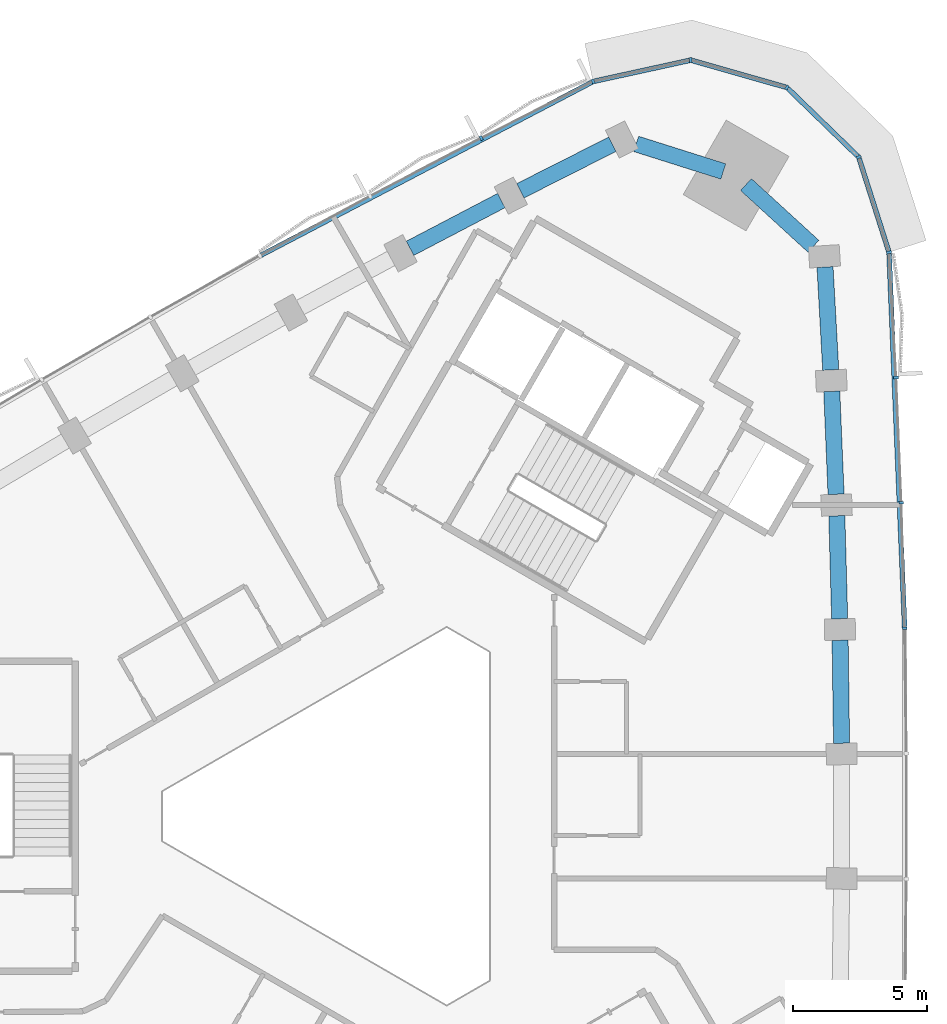
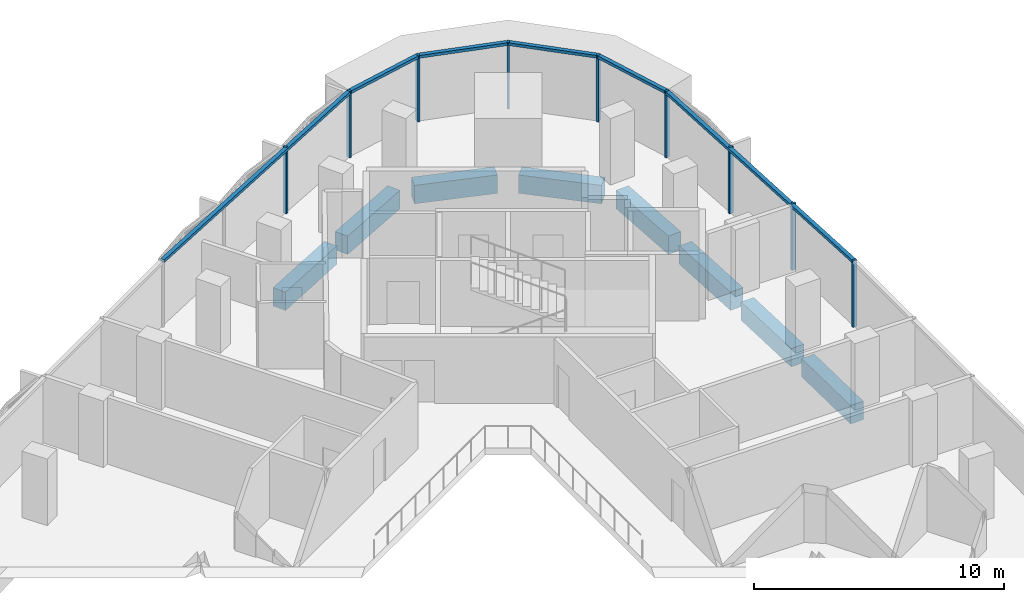
# One storey, part 5 of 13: 15 members, 8 beams, 2 elements without a shape of their own.
"""IFC4 building model written with IfcOpenShell, lengths in metres."""

import ifcopenshell
import ifcopenshell.guid

model = None  # the IFC model being written
_history = None  # IfcOwnerHistory: only IFC2X3 demands one
_inside = {}  # id of a spatial element -> (the spatial element, [elements in it])
_under = {}  # id of a project, library or spatial element -> (it, [spatial elements below it])
_declared = {}  # id of a project -> (the project, [libraries it declares])
_typed = {}  # id of a type object -> (the type object, [elements of that type])
_made_of = {}  # id of a material, layer set ... -> (it, [elements and type objects made of it])


def new_model(schema):
    """Start an empty IFC model of exactly this schema.

    Asked for "IFC4X3", IfcOpenShell would pick the latest addendum, in which some entities
    have other attributes; the version numbers below select the first issue.
    IFC2X3 requires an IfcOwnerHistory on every rooted entity: one is made here for all.
    """
    global model, _history
    if schema == "IFC4X3":
        model = ifcopenshell.file(schema_version=(4, 3, 0, 0))
    else:
        model = ifcopenshell.file(schema=schema)
    _inside.clear()
    _under.clear()
    _declared.clear()
    _typed.clear()
    _made_of.clear()
    _history = None
    if model.schema == "IFC2X3":
        org = make("IfcOrganization", Name="unknown")
        user = make(
            "IfcPersonAndOrganization",
            ThePerson=make("IfcPerson", FamilyName="unknown"),
            TheOrganization=org,
        )
        app = make(
            "IfcApplication",
            ApplicationDeveloper=org,
            Version="unknown",
            ApplicationFullName="unknown",
            ApplicationIdentifier="unknown",
        )
        _history = make(
            "IfcOwnerHistory",
            OwningUser=user,
            OwningApplication=app,
            ChangeAction="ADDED",
            CreationDate=0,
        )
    return model


def make(cls, **values):
    """One entity of the class cls with the attributes given. An attribute that is None is left unset."""
    return model.create_entity(
        cls, **{name: value for name, value in values.items() if value is not None}
    )


def rooted(cls, **values):
    """An entity with a GlobalId (a new one), such as an element, a storey or a relation."""
    return make(cls, GlobalId=ifcopenshell.guid.new(), OwnerHistory=_history, **values)


def si_unit(unit_type, name, prefix=None):
    """IfcSIUnit, for example si_unit("LENGTHUNIT", "METRE", prefix="MILLI")."""
    return make("IfcSIUnit", UnitType=unit_type, Prefix=prefix, Name=name)


def assignment(units):
    """IfcUnitAssignment: the units of a project."""
    return None if units is None else make("IfcUnitAssignment", Units=units)


def point(xyz):
    """IfcCartesianPoint."""
    return None if xyz is None else make("IfcCartesianPoint", Coordinates=xyz)


def direction(xyz):
    """IfcDirection."""
    return None if xyz is None else make("IfcDirection", DirectionRatios=xyz)


def frame(location, z_axis=None, x_axis=None):
    """IfcAxis2Placement3D, a coordinate frame: its origin and axes. An axis left out is left unset."""
    return make(
        "IfcAxis2Placement3D",
        Location=point(location),
        Axis=direction(z_axis),
        RefDirection=direction(x_axis),
    )


def frame_2d(location, x_axis=None):
    """IfcAxis2Placement2D, a coordinate frame in the plane: its origin and x axis."""
    return make(
        "IfcAxis2Placement2D", Location=point(location), RefDirection=direction(x_axis)
    )


def origin():
    """The frame at (0, 0, 0) with its axes left unset."""
    return frame((0.0, 0.0, 0.0))


def origin_2d():
    """The frame at (0, 0) in the plane with its x axis left unset."""
    return frame_2d((0.0, 0.0))


def place(relative_to, where):
    """IfcLocalPlacement: puts the frame where relative to a parent placement (None: the world)."""
    return make(
        "IfcLocalPlacement", PlacementRelTo=relative_to, RelativePlacement=where
    )


def context(
    kind, dimensions, precision=None, world=None, true_north=None, identifier=None
):
    """IfcGeometricRepresentationContext, for example the 3D "Model" context."""
    return make(
        "IfcGeometricRepresentationContext",
        ContextIdentifier=identifier,
        ContextType=kind,
        CoordinateSpaceDimension=dimensions,
        Precision=precision,
        WorldCoordinateSystem=world,
        TrueNorth=true_north,
    )


def subcontext(parent, identifier, kind, view, scale=None):
    """IfcGeometricRepresentationSubContext, for example "Body" below "Model"."""
    return make(
        "IfcGeometricRepresentationSubContext",
        ContextIdentifier=identifier,
        ContextType=kind,
        ParentContext=parent,
        TargetScale=scale,
        TargetView=view,
    )


def project(units=None, contexts=None):
    """IfcProject with its units and contexts."""
    return rooted(
        "IfcProject",
        Name="project",
        RepresentationContexts=contexts,
        UnitsInContext=assignment(units),
    )


def spatial(cls, under=None, at=None, **own):
    """A site, building, storey or space (cls), placed at a placement, below another one or the project."""
    s = rooted(cls, ObjectPlacement=at, **own)
    if under is not None:
        _under.setdefault(under.id(), (under, []))[1].append(s)
    return s


def profile(cls, at=None, kind="AREA", **sizes):
    """A parametric profile (cls). Its sizes go by their IFC names, for example OverallWidth=200.0."""
    return make(cls, ProfileType=kind, Position=at, **sizes)


def rectangle(**sizes):
    """IfcRectangleProfileDef."""
    return profile("IfcRectangleProfileDef", **sizes)


def extrude(swept, where, along, depth):
    """IfcExtrudedAreaSolid: the profile swept, set in the frame where, extruded along a direction by depth."""
    return make(
        "IfcExtrudedAreaSolid",
        SweptArea=swept,
        Position=where,
        ExtrudedDirection=direction(along),
        Depth=depth,
    )


def shape(context_of_items, identifier, shape_type, items):
    """IfcShapeRepresentation: the items that make up one representation, for example the "Body"."""
    return make(
        "IfcShapeRepresentation",
        ContextOfItems=context_of_items,
        RepresentationIdentifier=identifier,
        RepresentationType=shape_type,
        Items=items,
    )


def material(Name=None, Category=None):
    """IfcMaterial."""
    return make("IfcMaterial", Name=Name, Category=Category)


def material_profile(
    of_material, cross_section, Name=None, Category=None, Priority=None
):
    """IfcMaterialProfile: a cross section and its material."""
    return make(
        "IfcMaterialProfile",
        Name=Name,
        Material=of_material,
        Profile=cross_section,
        Priority=Priority,
        Category=Category,
    )


def profile_set(profiles, Name=None, composite=None):
    """IfcMaterialProfileSet."""
    return make(
        "IfcMaterialProfileSet",
        Name=Name,
        MaterialProfiles=profiles,
        CompositeProfile=composite,
    )


def made_of(thing, what):
    """Note that an element or type object is made of a material, layer set ...; save() writes the relation."""
    if what is not None:
        _made_of.setdefault(what.id(), (what, []))[1].append(thing)
    return thing


def type_object(cls, material=None, **own):
    """A type object (cls), such as IfcWallType, which elements share."""
    return made_of(rooted(cls, **own), material)


def element(
    cls,
    number,
    at=None,
    inside=None,
    cuts=None,
    type_object=None,
    material=None,
    context=None,
    identifier="Body",
    shape_type=None,
    held_by="IfcProductDefinitionShape",
    body=None,
    shapes=None,
    **own,
):
    """One element of the class cls, such as IfcWall. Its Tag is "e" and its number.

    at: its placement. inside: the storey or other place that contains it. cuts: it is an
    opening in that element (IfcRelVoidsElement). A single representation is given by context,
    identifier, shape_type and body (its items); several are given by shapes. held_by: the class
    of the entity that holds the representations. save() writes the other relations.
    """
    e = rooted(cls, Tag="e%d" % number, ObjectPlacement=at, **own)
    if body is not None:
        shapes = [shape(context, identifier, shape_type, body)]
    if shapes is not None:
        e.Representation = make(held_by, Representations=shapes)
    if inside is not None:
        _inside.setdefault(inside.id(), (inside, []))[1].append(e)
    if cuts is not None:
        rooted(
            "IfcRelVoidsElement", RelatingBuildingElement=cuts, RelatedOpeningElement=e
        )
    if type_object is not None:
        _typed.setdefault(type_object.id(), (type_object, []))[1].append(e)
    return made_of(e, material)


def aggregate(whole, parts):
    """IfcRelAggregates: a whole, such as a stair, and the parts it consists of."""
    return rooted("IfcRelAggregates", RelatingObject=whole, RelatedObjects=parts)


def save(model, path):
    """Write the relations noted so far, then the file.

    IfcRelAggregates (storeys below a building ...), IfcRelContainedInSpatialStructure (elements
    in a storey), IfcRelDefinesByType, IfcRelAssociatesMaterial and IfcRelDeclares: one each for
    every whole, place, type object, material and project.
    """
    for whole, parts in _under.values():
        aggregate(whole, parts)
    for where, things in _inside.values():
        rooted(
            "IfcRelContainedInSpatialStructure",
            RelatedElements=things,
            RelatingStructure=where,
        )
    for kind, things in _typed.values():
        rooted("IfcRelDefinesByType", RelatedObjects=things, RelatingType=kind)
    for what, things in _made_of.values():
        rooted("IfcRelAssociatesMaterial", RelatedObjects=things, RelatingMaterial=what)
    for by, libraries in _declared.values():
        rooted("IfcRelDeclares", RelatingContext=by, RelatedDefinitions=libraries)
    model.write(path)


model = new_model("IFC4")

# Units and contexts
model_context = context("Model", 3, precision=1e-05, world=origin(), true_north=direction((0.0, 1.0)))
body_context = subcontext(model_context, "Body", "Model", "MODEL_VIEW")
ifc_project = project(units=[si_unit("LENGTHUNIT", "METRE"), si_unit("AREAUNIT", "SQUARE_METRE"), si_unit("VOLUMEUNIT", "CUBIC_METRE"), si_unit("PLANEANGLEUNIT", "RADIAN"), si_unit("MASSUNIT", "GRAM", prefix="KILO")], contexts=[model_context])

# Site, building, storey
site_placement = place(None, origin())
site = spatial("IfcSite", under=ifc_project, at=site_placement, CompositionType="ELEMENT")
building_placement = place(site_placement, origin())
building = spatial("IfcBuilding", under=site, at=building_placement, Name="Tamra Quay Hotel Tower", CompositionType="ELEMENT")
storey_placement = place(building_placement, frame((0.0, 0.0, 193.60009765625)))
storey = spatial("IfcBuildingStorey", under=building, at=storey_placement, Name="L48", CompositionType="ELEMENT", Elevation=193.60009765625)

# Curtain wall, members
ifc_material_1 = material(Name="Aluminium 6063 anodised dark grey", Category="aluminium")
curtain_wall_type_1 = type_object("IfcCurtainWallType", Name="CW1 CURTAIN WALL", PredefinedType="NOTDEFINED", material=ifc_material_1)
curtain_wall_1_placement = place(storey_placement, origin())
curtain_wall_1 = element("IfcCurtainWall", 1, at=curtain_wall_1_placement, inside=storey, type_object=curtain_wall_type_1, Name="CW1 east face L48", PredefinedType="NOTDEFINED")
ifc_material_profile_1 = material_profile(ifc_material_1, rectangle(XDim=0.179931640625, YDim=0.10009765625, at=origin_2d()), Name="MULLION 100X180")
ifc_profile_set_1 = profile_set([ifc_material_profile_1], Name="Aluminium 6063 anodised dark grey")
member_type_1 = type_object("IfcMemberType", Name="MULLION CW1 Z4", PredefinedType="MULLION", material=ifc_profile_set_1)
member_1_placement = place(storey_placement, frame((20.058349609375, 7.006591796875, 0.0), z_axis=(0.0, 0.0, 1.0), x_axis=(0.999783229349, 0.020820526248, 0.0)))
member_1 = element("IfcMember", 2, at=member_1_placement, type_object=member_type_1, Name="CW1 mullion L48.E.7", PredefinedType="MULLION", context=body_context, shape_type="SweptSolid", body=[
    extrude(rectangle(XDim=0.179931640625, YDim=0.10009765625, at=origin_2d()), origin(), (0.0, 0.0, 1.0), 3.25),
])
member_2_placement = place(storey_placement, frame((19.9287109375, 11.674560546875, 0.0), z_axis=(0.0, 0.0, 1.0), x_axis=(0.999398564951, 0.034677202512, 0.0)))
member_2 = element("IfcMember", 3, at=member_2_placement, type_object=member_type_1, Name="CW1 mullion L48.E.8", PredefinedType="MULLION", context=body_context, shape_type="SweptSolid", body=[
    extrude(rectangle(XDim=0.179931640625, YDim=0.10009765625, at=origin_2d()), origin(), (0.0, 0.0, 1.0), 3.25),
])
member_3_placement = place(storey_placement, frame((19.734375, 16.342041015625, 0.0), z_axis=(0.0, 0.0, 1.0), x_axis=(0.998822750777, 0.048508891255, 0.0)))
member_3 = element("IfcMember", 4, at=member_3_placement, type_object=member_type_1, Name="CW1 mullion L48.E.9", PredefinedType="MULLION", context=body_context, shape_type="SweptSolid", body=[
    extrude(rectangle(XDim=0.179931640625, YDim=0.10009765625, at=origin_2d()), origin(), (0.0, 0.0, 1.0), 3.25),
])
member_4_placement = place(storey_placement, frame((19.4755859375, 21.00537109375, 0.0), z_axis=(0.0, 0.0, 1.0), x_axis=(0.98350948997, 0.180856526394, 0.0)))
member_4 = element("IfcMember", 5, at=member_4_placement, type_object=member_type_1, Name="CW1 mullion L48.E.10", PredefinedType="MULLION", context=body_context, shape_type="SweptSolid", body=[
    extrude(rectangle(XDim=0.179931640625, YDim=0.10009765625, at=origin_2d()), origin(), (0.0, 0.0, 1.0), 3.25),
])
member_5_placement = place(storey_placement, frame((18.345947265625, 24.553466796875, 0.0), z_axis=(0.0, 0.0, 1.0), x_axis=(0.85012217174, 0.526585504089, 0.0)))
member_5 = element("IfcMember", 6, at=member_5_placement, type_object=member_type_1, Name="CW1 mullion L48.E.11", PredefinedType="MULLION", context=body_context, shape_type="SweptSolid", body=[
    extrude(rectangle(XDim=0.179931640625, YDim=0.10009765625, at=origin_2d()), origin(), (0.0, 0.0, 1.0), 3.25),
])
member_6_placement = place(storey_placement, frame((15.67236328125, 27.145263671875, 0.0), z_axis=(0.0, 0.0, 1.0), x_axis=(0.5, 0.866025403784, 0.0)))
member_6 = element("IfcMember", 7, at=member_6_placement, type_object=member_type_1, Name="CW1 mullion L48.E.12", PredefinedType="MULLION", context=body_context, shape_type="SweptSolid", body=[
    extrude(rectangle(XDim=0.179931640625, YDim=0.10009765625, at=origin_2d()), origin(), (0.0, 0.0, 1.0), 3.25),
])
member_7_placement = place(storey_placement, frame((12.091064453125, 28.164794921875, 0.0), z_axis=(0.0, 0.0, 1.0), x_axis=(0.030975337936, 0.999520149091, 0.0)))
member_7 = element("IfcMember", 8, at=member_7_placement, type_object=member_type_1, Name="CW1 mullion L48.E.13", PredefinedType="MULLION", context=body_context, shape_type="SweptSolid", body=[
    extrude(rectangle(XDim=0.179931640625, YDim=0.10009765625, at=origin_2d()), origin(), (0.0, 0.0, 1.0), 3.25),
])

curtain_wall_type_2 = type_object("IfcCurtainWallType", Name="CW2 CURTAIN WALL", PredefinedType="NOTDEFINED", material=ifc_material_1)
curtain_wall_2_placement = place(storey_placement, origin())
curtain_wall_2 = element("IfcCurtainWall", 9, at=curtain_wall_2_placement, inside=storey, type_object=curtain_wall_type_2, Name="CW2 north-west face L48", PredefinedType="NOTDEFINED")
ifc_material_profile_2 = material_profile(ifc_material_1, rectangle(XDim=0.179931640625, YDim=0.10009765625, at=origin_2d()), Name="MULLION 100X180")
ifc_profile_set_2 = profile_set([ifc_material_profile_2], Name="Aluminium 6063 anodised dark grey")
member_type_2 = type_object("IfcMemberType", Name="MULLION CW2 Z4", PredefinedType="MULLION", material=ifc_profile_set_2)
member_8_placement = place(storey_placement, frame((8.453369140625, 27.369140625, 0.0), z_axis=(0.0, 0.0, 1.0), x_axis=(-0.335128398687, 0.942172466374, 0.0)))
member_8 = element("IfcMember", 10, at=member_8_placement, type_object=member_type_2, Name="CW2 mullion L48.NW.1", PredefinedType="MULLION", context=body_context, shape_type="SweptSolid", body=[
    extrude(rectangle(XDim=0.179931640625, YDim=0.10009765625, at=origin_2d()), origin(), (0.0, 0.0, 1.0), 3.25),
])
member_9_placement = place(storey_placement, frame((4.285400390625, 25.261474609375, 0.0), z_axis=(0.0, 0.0, 1.0), x_axis=(-0.457401443253, 0.889260321678, 0.0)))
member_9 = element("IfcMember", 11, at=member_9_placement, type_object=member_type_2, Name="CW2 mullion L48.NW.2", PredefinedType="MULLION", context=body_context, shape_type="SweptSolid", body=[
    extrude(rectangle(XDim=0.179931640625, YDim=0.10009765625, at=origin_2d()), origin(), (0.0, 0.0, 1.0), 3.25),
])

# Beams
ifc_material_2 = material(Name="Concrete M60", Category="concrete")
ifc_material_profile_3 = material_profile(ifc_material_2, rectangle(XDim=0.60009765625, YDim=0.89990234375, at=origin_2d()), Name="SPANDREL BEAM RC 600x900")
ifc_profile_set_3 = profile_set([ifc_material_profile_3], Name="Concrete M60")
beam_type = type_object("IfcBeamType", Name="SPANDREL BEAM RC 600x900", PredefinedType="SPANDREL", material=ifc_profile_set_3)
beam_1_placement = place(storey_placement, frame((17.706787109375, 2.71875, -0.800048828125), z_axis=(-0.01380539035, 0.999904701058, 0.0), x_axis=(-0.999904701058, -0.01380539035, 0.0)))
element("IfcBeam", 12, at=beam_1_placement, inside=storey, type_object=beam_type, Name="BM-SP4-005-L48", PredefinedType="SPANDREL", context=body_context, shape_type="SweptSolid", body=[
    extrude(rectangle(XDim=0.60009765625, YDim=0.89990234375, at=origin_2d()), origin(), (0.0, 0.0, 1.0), 3.83740234375),
])
beam_2_placement = place(storey_placement, frame((17.636962890625, 7.355712890625, -0.800048828125), z_axis=(-0.02773528523, 0.999615302981, 0.0), x_axis=(-0.999615302981, -0.02773528523, 0.0)))
element("IfcBeam", 13, at=beam_2_placement, inside=storey, type_object=beam_type, Name="BM-SP4-006-L48", PredefinedType="SPANDREL", context=body_context, shape_type="SweptSolid", body=[
    extrude(rectangle(XDim=0.60009765625, YDim=0.89990234375, at=origin_2d()), origin(), (0.0, 0.0, 1.0), 3.837890625),
])
beam_3_placement = place(storey_placement, frame((17.502685546875, 11.99169921875, -0.800048828125), z_axis=(-0.041609373826, 0.999133954988, 0.0), x_axis=(-0.999133954988, -0.041609373826, 0.0)))
element("IfcBeam", 14, at=beam_3_placement, inside=storey, type_object=beam_type, Name="BM-SP4-007-L48", PredefinedType="SPANDREL", context=body_context, shape_type="SweptSolid", body=[
    extrude(rectangle(XDim=0.60009765625, YDim=0.89990234375, at=origin_2d()), origin(), (0.0, 0.0, 1.0), 3.83740234375),
])
beam_4_placement = place(storey_placement, frame((17.30419921875, 16.625, -0.800048828125), z_axis=(-0.055346700292, 0.99846719664, 0.0), x_axis=(-0.99846719664, -0.055346700292, 0.0)))
element("IfcBeam", 15, at=beam_4_placement, inside=storey, type_object=beam_type, Name="BM-SP4-008-L48", PredefinedType="SPANDREL", context=body_context, shape_type="SweptSolid", body=[
    extrude(rectangle(XDim=0.60009765625, YDim=0.89990234375, at=origin_2d()), origin(), (0.0, 0.0, 1.0), 3.837646484375),
])
beam_5_placement = place(storey_placement, frame((16.659423828125, 21.2314453125, -0.800048828125), z_axis=(-0.737716497183, 0.675110635218, 0.0), x_axis=(-0.675110635218, -0.737716497183, 0.0)))
element("IfcBeam", 16, at=beam_5_placement, inside=storey, type_object=beam_type, Name="BM-SP4-009-L48", PredefinedType="SPANDREL", context=body_context, shape_type="SweptSolid", body=[
    extrude(rectangle(XDim=0.60009765625, YDim=0.89990234375, at=origin_2d()), origin(), (0.0, 0.0, 1.0), 3.404296875),
])
beam_6_placement = place(storey_placement, frame((13.302978515625, 24.017333984375, -0.800048828125), z_axis=(-0.953502415748, 0.301385373174, 0.0), x_axis=(-0.301385373174, -0.953502415748, 0.0)))
element("IfcBeam", 17, at=beam_6_placement, inside=storey, type_object=beam_type, Name="BM-SP4-010-L48", PredefinedType="SPANDREL", context=body_context, shape_type="SweptSolid", body=[
    extrude(rectangle(XDim=0.60009765625, YDim=0.89990234375, at=origin_2d()), origin(), (0.0, 0.0, 1.0), 3.40380859375),
])
beam_7_placement = place(storey_placement, frame((9.170166015625, 25.030029296875, -0.800048828125), z_axis=(-0.892407883039, -0.451229620359, 0.0), x_axis=(0.451229620359, -0.892407883039, 0.0)))
element("IfcBeam", 18, at=beam_7_placement, inside=storey, type_object=beam_type, Name="BM-SP4-011-L48", PredefinedType="SPANDREL", context=body_context, shape_type="SweptSolid", body=[
    extrude(rectangle(XDim=0.60009765625, YDim=0.89990234375, at=origin_2d()), origin(), (0.0, 0.0, 1.0), 3.837646484375),
])
beam_8_placement = place(storey_placement, frame((5.033935546875, 22.9326171875, -0.800048828125), z_axis=(-0.886043134182, -0.463602808845, 0.0), x_axis=(0.463602808845, -0.886043134182, 0.0)))
element("IfcBeam", 19, at=beam_8_placement, inside=storey, type_object=beam_type, Name="BM-SP4-012-L48", PredefinedType="SPANDREL", context=body_context, shape_type="SweptSolid", body=[
    extrude(rectangle(XDim=0.60009765625, YDim=0.89990234375, at=origin_2d()), origin(), (0.0, 0.0, 1.0), 3.83740234375),
])

# Member
ifc_material_profile_4 = material_profile(ifc_material_1, rectangle(XDim=0.179931640625, YDim=0.139892578125, at=origin_2d()), Name="TRANSOM 180X140")
ifc_profile_set_4 = profile_set([ifc_material_profile_4], Name="Aluminium 6063 anodised dark grey")
member_type_3 = type_object("IfcMemberType", Name="TRANSOM CW1 Z4", PredefinedType="USERDEFINED", material=ifc_profile_set_4)
member_10_placement = place(storey_placement, frame((20.056884765625, 7.056640625, 3.179931640625), z_axis=(-0.041576525187, 0.999135322443, 0.0), x_axis=(-0.999135322443, -0.041576525187, 0.0)))
member_10 = element("IfcMember", 20, at=member_10_placement, type_object=member_type_3, Name="CW1 transom L48.E.7", ObjectType="TRANSOM", PredefinedType="USERDEFINED", context=body_context, shape_type="SweptSolid", body=[
    extrude(rectangle(XDim=0.179931640625, YDim=0.139892578125, at=origin_2d()), origin(), (0.0, 0.0, 1.0), 13.910888671875),
])

member_11_placement = place(storey_placement, frame((19.46044921875, 21.052978515625, 3.179931640625), z_axis=(-0.303384410911, 0.952868248614, 0.0), x_axis=(-0.952868248614, -0.303384410911, 0.0)))
member_11 = element("IfcMember", 21, at=member_11_placement, type_object=member_type_3, Name="CW1 transom L48.E.10", ObjectType="TRANSOM", PredefinedType="USERDEFINED", context=body_context, shape_type="SweptSolid", body=[
    extrude(rectangle(XDim=0.179931640625, YDim=0.139892578125, at=origin_2d()), origin(), (0.0, 0.0, 1.0), 3.623779296875),
])

member_12_placement = place(storey_placement, frame((18.31005859375, 24.58837890625, 3.179931640625), z_axis=(-0.718003439243, 0.696039554361, 0.0), x_axis=(-0.696039554361, -0.718003439243, 0.0)))
member_12 = element("IfcMember", 22, at=member_12_placement, type_object=member_type_3, Name="CW1 transom L48.E.11", ObjectType="TRANSOM", PredefinedType="USERDEFINED", context=body_context, shape_type="SweptSolid", body=[
    extrude(rectangle(XDim=0.179931640625, YDim=0.139892578125, at=origin_2d()), origin(), (0.0, 0.0, 1.0), 3.623779296875),
])

member_13_placement = place(storey_placement, frame((15.624267578125, 27.158935546875, 3.179931640625), z_axis=(-0.961782850697, 0.273813345375, 0.0), x_axis=(-0.273813345375, -0.961782850697, 0.0)))
member_13 = element("IfcMember", 23, at=member_13_placement, type_object=member_type_3, Name="CW1 transom L48.E.12", ObjectType="TRANSOM", PredefinedType="USERDEFINED", context=body_context, shape_type="SweptSolid", body=[
    extrude(rectangle(XDim=0.179931640625, YDim=0.139892578125, at=origin_2d()), origin(), (0.0, 0.0, 1.0), 3.62353515625),
])

member_14_placement = place(storey_placement, frame((12.042236328125, 28.154052734375, 3.179931640625), z_axis=(-0.976912322542, -0.21364061895, 0.0), x_axis=(0.21364061895, -0.976912322542, 0.0)))
member_14 = element("IfcMember", 24, at=member_14_placement, type_object=member_type_3, Name="CW1 transom L48.E.13", ObjectType="TRANSOM", PredefinedType="USERDEFINED", context=body_context, shape_type="SweptSolid", body=[
    extrude(rectangle(XDim=0.179931640625, YDim=0.139892578125, at=origin_2d()), origin(), (0.0, 0.0, 1.0), 3.623779296875),
])

aggregate(curtain_wall_1, [member_1, member_10, member_2, member_3, member_4, member_11, member_5, member_12, member_6, member_13, member_7, member_14])

ifc_material_profile_5 = material_profile(ifc_material_1, rectangle(XDim=0.179931640625, YDim=0.139892578125, at=origin_2d()), Name="TRANSOM 180X140")
ifc_profile_set_5 = profile_set([ifc_material_profile_5], Name="Aluminium 6063 anodised dark grey")
member_type_4 = type_object("IfcMemberType", Name="TRANSOM CW2 Z4", PredefinedType="USERDEFINED", material=ifc_profile_set_5)
member_15_placement = place(storey_placement, frame((8.40869140625, 27.346435546875, 3.179931640625), z_axis=(-0.886073593198, -0.463544590559, 0.0), x_axis=(0.463544590559, -0.886073593198, 0.0)))
member_15 = element("IfcMember", 25, at=member_15_placement, type_object=member_type_4, Name="CW2 transom L48.NW.1", ObjectType="TRANSOM", PredefinedType="USERDEFINED", context=body_context, shape_type="SweptSolid", body=[
    extrude(rectangle(XDim=0.179931640625, YDim=0.139892578125, at=origin_2d()), origin(), (0.0, 0.0, 1.0), 13.91064453125),
])

aggregate(curtain_wall_2, [member_8, member_15, member_9])

save(model, "model.ifc")
